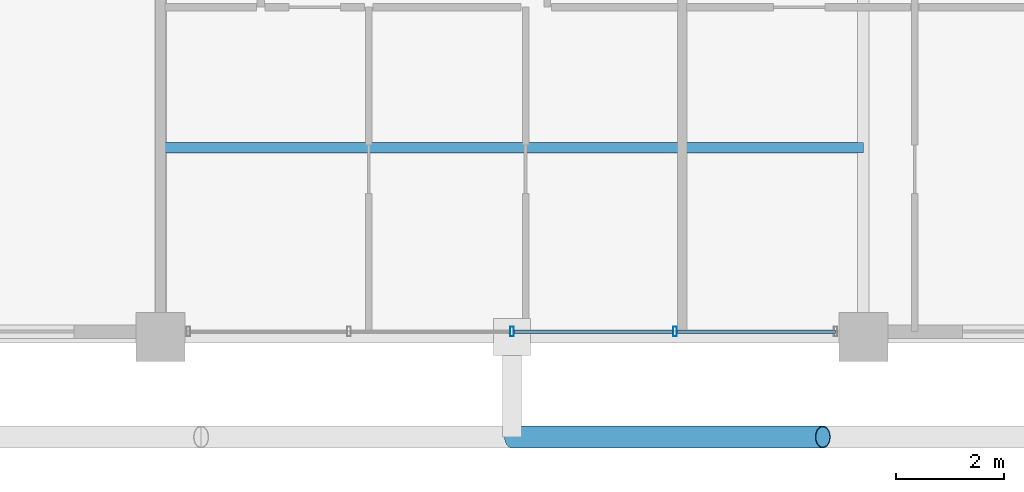
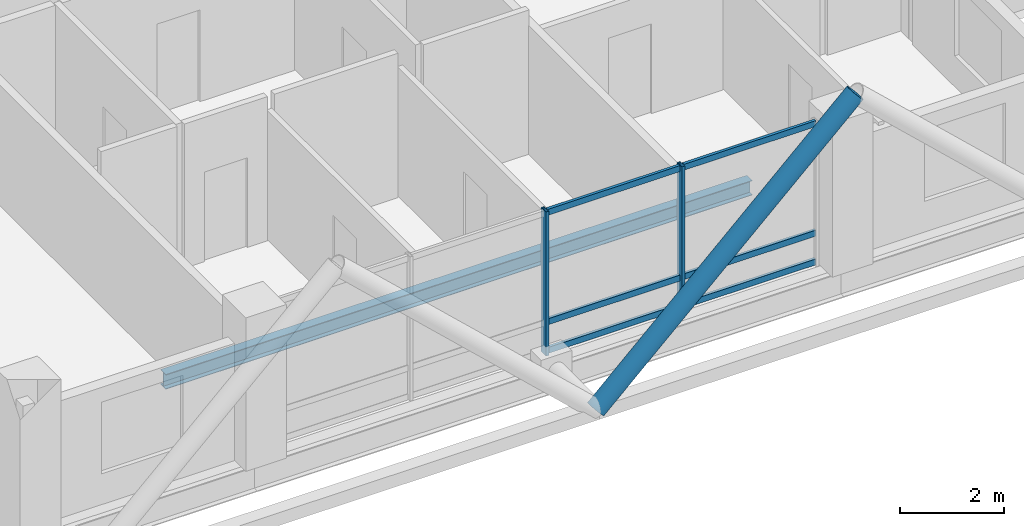
# One storey, part 5 of 24: 9 members, 1 beam, 1 element without a shape of its own.
"""IFC4 building model written with IfcOpenShell, lengths in metres."""

from ifc_helpers import new_model, si_unit, direction, frame, origin, origin_2d, place, context, subcontext, project, spatial, hollow_rectangle, hollow_circle, i_section, extrude, material, layer, layer_set, material_profile, profile_set, type_object, element, aggregate, save


model = new_model("IFC4")

# Units and contexts
model_context = context("Model", 3, precision=1e-05, world=origin(), true_north=direction((0.0, 1.0)))
body_context = subcontext(model_context, "Body", "Model", "MODEL_VIEW")
ifc_project = project(units=[si_unit("LENGTHUNIT", "METRE"), si_unit("AREAUNIT", "SQUARE_METRE"), si_unit("VOLUMEUNIT", "CUBIC_METRE"), si_unit("PLANEANGLEUNIT", "RADIAN"), si_unit("MASSUNIT", "GRAM", prefix="KILO")], contexts=[model_context])

# Site, building, storey
site_placement = place(None, origin())
site = spatial("IfcSite", under=ifc_project, at=site_placement, CompositionType="ELEMENT")
building_placement = place(site_placement, origin())
building = spatial("IfcBuilding", under=site, at=building_placement, Name="Barlavira Tower and Art Museum", CompositionType="ELEMENT")
storey_placement = place(building_placement, frame((0.0, 0.0, 240.300048828125)))
storey = spatial("IfcBuildingStorey", under=building, at=storey_placement, Name="L62", CompositionType="ELEMENT", Elevation=240.300048828125)

# Curtain wall, members
ifc_material_1 = material(Name="Low-iron coastal laminated glass", Category="glass")
ifc_layer = layer(ifc_material_1, 0.2099609375, Name="Low-iron coastal laminated glass")
ifc_layer_set = layer_set([ifc_layer], Name="Low-iron coastal laminated glass")
curtain_wall_type = type_object("IfcCurtainWallType", Name="Pale-Metal Unitised Curtain Wall Zone 4", PredefinedType="NOTDEFINED", material=ifc_layer_set)
curtain_wall_placement = place(storey_placement, origin())
curtain_wall = element("IfcCurtainWall", 1, at=curtain_wall_placement, inside=storey, type_object=curtain_wall_type, Name="L62 Curtain Wall CW4-L62-S-B2", PredefinedType="NOTDEFINED")
ifc_material_2 = material(Name="Pale anodised aluminium", Category="aluminium")
ifc_material_profile_1 = material_profile(ifc_material_2, hollow_rectangle(XDim=0.06494140625, YDim=0.179931640625, WallThickness=0.00390625, at=origin_2d()), Name="ALU-MULL 65x180x4")
ifc_profile_set_1 = profile_set([ifc_material_profile_1], Name="Pale anodised aluminium")
member_type_1 = type_object("IfcMemberType", Name="Curtain Wall Pale-Metal Mullion 65x180", PredefinedType="MULLION", material=ifc_profile_set_1)
member_1_placement = place(storey_placement, frame((0.0, -19.89990234375, 0.0), z_axis=(0.0, 0.0, 1.0), x_axis=(1.0, 0.0, 0.0)))
member_1 = element("IfcMember", 2, at=member_1_placement, type_object=member_type_1, Name="CW4-L62-S-B2 Mullion 2", PredefinedType="MULLION", context=body_context, shape_type="SweptSolid", body=[
    extrude(hollow_rectangle(XDim=0.06494140625, YDim=0.179931640625, WallThickness=0.00390625, at=origin_2d()), origin(), (0.0, 0.0, 1.0), 3.3798828125),
])
member_2_placement = place(storey_placement, frame((3.014892578125, -19.89990234375, 0.0), z_axis=(0.0, 0.0, 1.0), x_axis=(1.0, 0.0, 0.0)))
member_2 = element("IfcMember", 3, at=member_2_placement, type_object=member_type_1, Name="CW4-L62-S-B2 Mullion 3", PredefinedType="MULLION", context=body_context, shape_type="SweptSolid", body=[
    extrude(hollow_rectangle(XDim=0.06494140625, YDim=0.179931640625, WallThickness=0.00390625, at=origin_2d()), origin(), (0.0, 0.0, 1.0), 3.3798828125),
])
ifc_material_profile_2 = material_profile(ifc_material_2, hollow_rectangle(XDim=0.06494140625, YDim=0.139892578125, WallThickness=0.00390625, at=origin_2d()), Name="ALU-TRAN 65x140x4")
ifc_profile_set_2 = profile_set([ifc_material_profile_2], Name="Pale anodised aluminium")
member_type_2 = type_object("IfcMemberType", Name="Curtain Wall Pale-Metal Transom 65x140", PredefinedType="USERDEFINED", material=ifc_profile_set_2)
member_3_placement = place(storey_placement, frame((0.044921875, -19.89990234375, 0.070068359375), z_axis=(1.0, 0.0, 0.0), x_axis=(0.0, 1.0, 0.0)))
member_3 = element("IfcMember", 4, at=member_3_placement, type_object=member_type_2, Name="CW4-L62-S-B2 Transom 2.1", ObjectType="TRANSOM", PredefinedType="USERDEFINED", context=body_context, shape_type="SweptSolid", body=[
    extrude(hollow_rectangle(XDim=0.06494140625, YDim=0.139892578125, WallThickness=0.00390625, at=origin_2d()), origin(), (0.0, 0.0, 1.0), 2.925048828125),
])
member_4_placement = place(storey_placement, frame((0.044921875, -19.89990234375, 0.743896484375), z_axis=(1.0, 0.0, 0.0), x_axis=(0.0, 1.0, 0.0)))
member_4 = element("IfcMember", 5, at=member_4_placement, type_object=member_type_2, Name="CW4-L62-S-B2 Transom 2.2", ObjectType="TRANSOM", PredefinedType="USERDEFINED", context=body_context, shape_type="SweptSolid", body=[
    extrude(hollow_rectangle(XDim=0.06494140625, YDim=0.139892578125, WallThickness=0.00390625, at=origin_2d()), origin(), (0.0, 0.0, 1.0), 2.925048828125),
])
member_5_placement = place(storey_placement, frame((0.044921875, -19.89990234375, 3.31005859375), z_axis=(1.0, 0.0, 0.0), x_axis=(0.0, 1.0, 0.0)))
member_5 = element("IfcMember", 6, at=member_5_placement, type_object=member_type_2, Name="CW4-L62-S-B2 Transom 2.3", ObjectType="TRANSOM", PredefinedType="USERDEFINED", context=body_context, shape_type="SweptSolid", body=[
    extrude(hollow_rectangle(XDim=0.06494140625, YDim=0.139892578125, WallThickness=0.00390625, at=origin_2d()), origin(), (0.0, 0.0, 1.0), 2.925048828125),
])
member_6_placement = place(storey_placement, frame((3.06005859375, -19.89990234375, 0.070068359375), z_axis=(1.0, 0.0, 0.0), x_axis=(0.0, 1.0, 0.0)))
member_6 = element("IfcMember", 7, at=member_6_placement, type_object=member_type_2, Name="CW4-L62-S-B2 Transom 3.1", ObjectType="TRANSOM", PredefinedType="USERDEFINED", context=body_context, shape_type="SweptSolid", body=[
    extrude(hollow_rectangle(XDim=0.06494140625, YDim=0.139892578125, WallThickness=0.00390625, at=origin_2d()), origin(), (0.0, 0.0, 1.0), 2.925048828125),
])
member_7_placement = place(storey_placement, frame((3.06005859375, -19.89990234375, 0.743896484375), z_axis=(1.0, 0.0, 0.0), x_axis=(0.0, 1.0, 0.0)))
member_7 = element("IfcMember", 8, at=member_7_placement, type_object=member_type_2, Name="CW4-L62-S-B2 Transom 3.2", ObjectType="TRANSOM", PredefinedType="USERDEFINED", context=body_context, shape_type="SweptSolid", body=[
    extrude(hollow_rectangle(XDim=0.06494140625, YDim=0.139892578125, WallThickness=0.00390625, at=origin_2d()), origin(), (0.0, 0.0, 1.0), 2.925048828125),
])
member_8_placement = place(storey_placement, frame((3.06005859375, -19.89990234375, 3.31005859375), z_axis=(1.0, 0.0, 0.0), x_axis=(0.0, 1.0, 0.0)))
member_8 = element("IfcMember", 9, at=member_8_placement, type_object=member_type_2, Name="CW4-L62-S-B2 Transom 3.3", ObjectType="TRANSOM", PredefinedType="USERDEFINED", context=body_context, shape_type="SweptSolid", body=[
    extrude(hollow_rectangle(XDim=0.06494140625, YDim=0.139892578125, WallThickness=0.00390625, at=origin_2d()), origin(), (0.0, 0.0, 1.0), 2.925048828125),
])
aggregate(curtain_wall, [member_1, member_2, member_3, member_4, member_5, member_6, member_7, member_8])

# Member
ifc_material_3 = material(Name="Steel S355", Category="steel")
ifc_material_profile_3 = material_profile(ifc_material_3, hollow_circle(Radius=0.203125, WallThickness=0.01611328125, at=origin_2d()), Name="CHS 406.4x16.0")
ifc_profile_set_3 = profile_set([ifc_material_profile_3], Name="Steel S355")
member_type_3 = type_object("IfcMemberType", Name="Pale-Metal Exoskeleton Diagrid Tube CHS 406x16 Steel S355", PredefinedType="BRACE", material=ifc_profile_set_3)
member_9_placement = place(storey_placement, frame((0.0, -21.85009765625, -0.1201171875), z_axis=(0.728934650808, 0.0, 0.684583285548), x_axis=(0.0, 1.0, 0.0)))
element("IfcMember", 10, at=member_9_placement, inside=storey, type_object=member_type_3, Name="L62 Exoskeleton Diagrid Tube S", PredefinedType="BRACE", context=body_context, shape_type="SweptSolid", body=[
    extrude(hollow_circle(Radius=0.203125, WallThickness=0.01611328125, at=origin_2d()), origin(), (0.0, 0.0, 1.0), 7.88818359375),
])

# Beam
ifc_material_profile_4 = material_profile(ifc_material_3, i_section(OverallWidth=0.202880859375, OverallDepth=0.346923828125, WebThickness=0.0078125, FlangeThickness=0.013427734375, at=origin_2d()), Name="W360x64.0")
ifc_profile_set_4 = profile_set([ifc_material_profile_4], Name="Steel S355")
beam_type = type_object("IfcBeamType", Name="Zone 4 Composite Floor Joist W360x64 Steel S355", PredefinedType="JOIST", material=ifc_profile_set_4)
beam_placement = place(storey_placement, frame((-6.5, -16.5, -0.3935546875), z_axis=(1.0, 0.0, 0.0), x_axis=(0.0, 1.0, 0.0)))
element("IfcBeam", 11, at=beam_placement, inside=storey, type_object=beam_type, Name="L62 Joist C1", PredefinedType="JOIST", context=body_context, shape_type="SweptSolid", body=[
    extrude(i_section(OverallWidth=0.202880859375, OverallDepth=0.346923828125, WebThickness=0.0078125, FlangeThickness=0.013427734375, at=origin_2d()), origin(), (0.0, 0.0, 1.0), 13.0),
])

save(model, "model.ifc")
